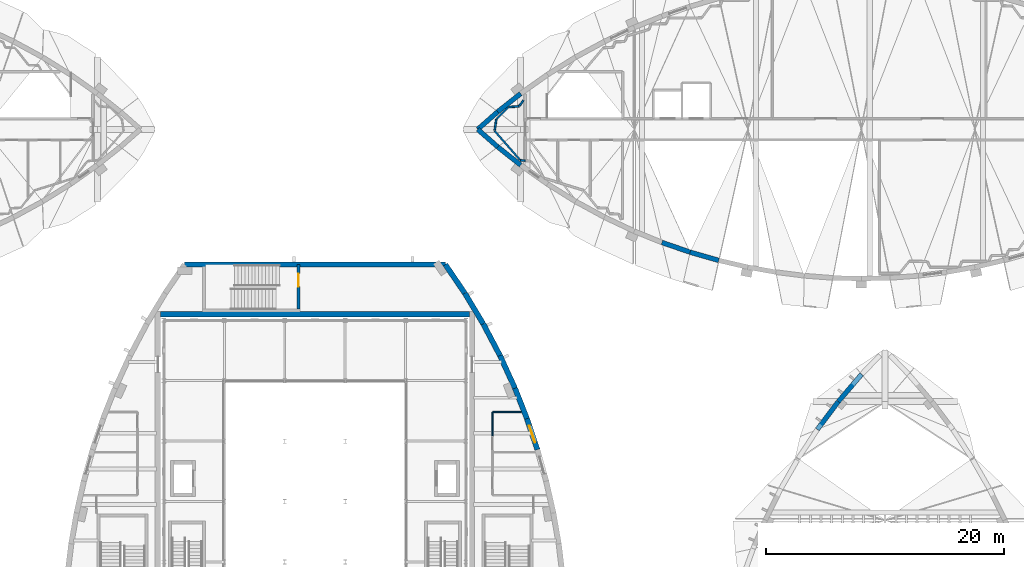
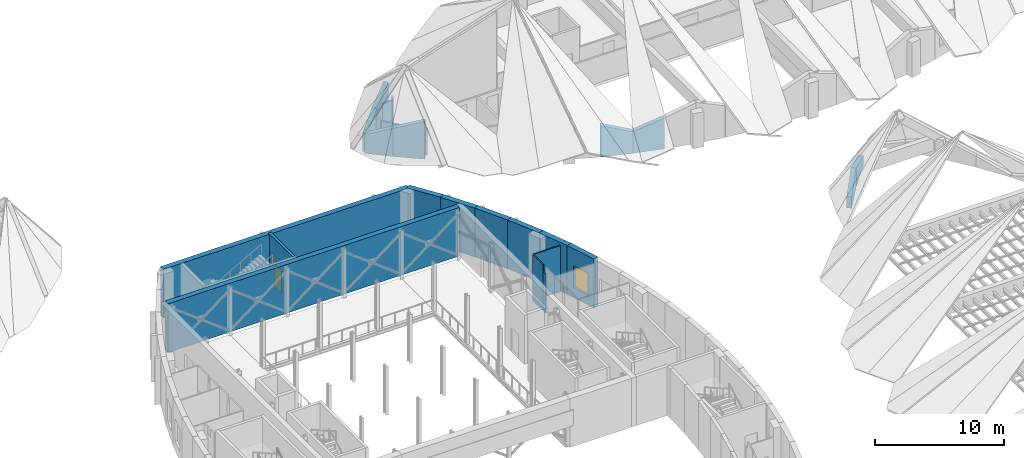
# One storey, part 43 of 56: 26 walls, 1 door, 1 window, 2 openings.
"""IFC4 building model written with IfcOpenShell, lengths in metres."""

from ifc_helpers import new_model, si_unit, direction, frame, frame_2d, origin, place, context, subcontext, project, spatial, polyline, rectangle, outline, extrude, material, layer, layer_set, type_object, element, fill, save


model = new_model("IFC4")

# Units and contexts
model_context = context("Model", 3, precision=1e-05, world=origin(), true_north=direction((0.0, 1.0)))
body_context = subcontext(model_context, "Body", "Model", "MODEL_VIEW")
ifc_project = project(units=[si_unit("LENGTHUNIT", "METRE"), si_unit("AREAUNIT", "SQUARE_METRE"), si_unit("VOLUMEUNIT", "CUBIC_METRE"), si_unit("PLANEANGLEUNIT", "RADIAN"), si_unit("MASSUNIT", "GRAM", prefix="KILO")], contexts=[model_context])

# Site, building, storey
site_placement = place(None, origin())
site = spatial("IfcSite", under=ifc_project, at=site_placement, CompositionType="ELEMENT")
building_placement = place(site_placement, origin())
building = spatial("IfcBuilding", under=site, at=building_placement, Name="Tide Square Theatres", CompositionType="ELEMENT")
storey_placement = place(building_placement, frame((0.0, 0.0, 10.199951171875)))
storey = spatial("IfcBuildingStorey", under=building, at=storey_placement, Name="L02", CompositionType="ELEMENT", Elevation=10.199951171875)

# Walls
ifc_material_1 = material(Name="Gypsum board on steel studs", Category="steel")
ifc_layer_1 = layer(ifc_material_1, 0.10009765625)
ifc_layer_set_1 = layer_set([ifc_layer_1], Name="Gypsum board on steel studs")
wall_type_1 = type_object("IfcWallType", Name="Partition 100 thick", PredefinedType="PARTITIONING", material=ifc_layer_set_1)
wall_1_placement = place(storey_placement, frame((98.949951171875, 72.02001953125, 0.0), z_axis=(0.0, 0.0, 1.0), x_axis=(0.0, 1.0, 0.0)))
element("IfcWall", 1, at=wall_1_placement, inside=storey, type_object=wall_type_1, Name="Partition", PredefinedType="PARTITIONING", context=body_context, shape_type="SweptSolid", body=[
    extrude(rectangle(XDim=0.35986328125, YDim=0.10009765625, at=frame_2d((0.179931640625, 0.0))), origin(), (0.0, 0.0, 1.0), 3.719970703125),
])
wall_2_placement = place(storey_placement, frame((98.949951171875, 72.3798828125, 0.0), z_axis=(0.0, 0.0, 1.0), x_axis=(0.0, 1.0, 0.0)))
element("IfcWall", 2, at=wall_2_placement, inside=storey, type_object=wall_type_1, Name="Partition", PredefinedType="PARTITIONING", context=body_context, shape_type="SweptSolid", body=[
    extrude(rectangle(XDim=1.596923828125, YDim=0.10009765625, at=frame_2d((0.79833984375, 0.0))), origin(), (0.0, 0.0, 1.0), 4.35009765625),
])
wall_3_placement = place(storey_placement, frame((98.983154296875, 74.0, 0.0), z_axis=(0.0, 0.0, 1.0), x_axis=(1.0, 0.0, 0.0)))
element("IfcWall", 3, at=wall_3_placement, inside=storey, type_object=wall_type_1, Name="Partition", PredefinedType="PARTITIONING", context=body_context, shape_type="SweptSolid", body=[
    extrude(rectangle(XDim=2.36376953125, YDim=0.10009765625, at=frame_2d((1.181884765625, 0.0))), origin(), (0.0, 0.0, 1.0), 4.35009765625),
])
ifc_material_2 = material(Name="Gypsum board on steel studs", Category="steel")
ifc_layer_2 = layer(ifc_material_2, 0.14990234375)
ifc_layer_set_2 = layer_set([ifc_layer_2], Name="Gypsum board on steel studs")
wall_type_2 = type_object("IfcWallType", Name="Partition 150 thick", PredefinedType="PARTITIONING", material=ifc_layer_set_2)
wall_4_placement = place(storey_placement, frame((101.699951171875, 95.16015625, 0.0), z_axis=(0.0, 0.0, 1.0), x_axis=(-0.996882323864, 0.078902676549, 0.0)))
element("IfcWall", 4, at=wall_4_placement, inside=storey, type_object=wall_type_2, Name="Rehearsal Block partition", PredefinedType="PARTITIONING", context=body_context, shape_type="SweptSolid", body=[
    extrude(rectangle(XDim=0.41455078125, YDim=0.14990234375, at=frame_2d((0.207275390625, 0.0))), origin(), (0.0, 0.0, 1.0), 2.5),
])
wall_5_placement = place(storey_placement, frame((101.260498046875, 95.222900390625, 0.0), z_axis=(0.0, 0.0, 1.0), x_axis=(-0.658009618923, 0.753009522785, 0.0)))
element("IfcWall", 5, at=wall_5_placement, inside=storey, type_object=wall_type_2, Name="Rehearsal Block partition", PredefinedType="PARTITIONING", context=body_context, shape_type="SweptSolid", body=[
    extrude(rectangle(XDim=3.248291015625, YDim=0.14990234375, at=frame_2d((1.6240234375, 0.0))), origin(), (0.0, 0.0, 1.0), 2.5),
])
wall_6_placement = place(storey_placement, frame((99.13037109375, 97.718505859375, 0.0), z_axis=(0.0, 0.0, 1.0), x_axis=(0.146464106826, 0.989215985218, 0.0)))
element("IfcWall", 6, at=wall_6_placement, inside=storey, type_object=wall_type_2, Name="Rehearsal Block partition", PredefinedType="PARTITIONING", context=body_context, shape_type="SweptSolid", body=[
    extrude(rectangle(XDim=0.94189453125, YDim=0.14990234375, at=frame_2d((0.470947265625, 0.0))), origin(), (0.0, 0.0, 1.0), 2.5),
])
wall_7_placement = place(storey_placement, frame((99.28955078125, 98.67138671875, 0.0), z_axis=(0.0, 0.0, 1.0), x_axis=(0.707106781187, 0.707106781187, 0.0)))
element("IfcWall", 7, at=wall_7_placement, inside=storey, type_object=wall_type_2, Name="Rehearsal Block partition", PredefinedType="PARTITIONING", context=body_context, shape_type="SweptSolid", body=[
    extrude(rectangle(XDim=1.39208984375, YDim=0.14990234375, at=frame_2d((0.696044921875, 0.0))), origin(), (0.0, 0.0, 1.0), 2.5),
])
wall_8_placement = place(storey_placement, frame((100.30810546875, 99.67138671875, 0.0), z_axis=(0.0, 0.0, 1.0), x_axis=(0.996862570919, 0.07915184584, 0.0)))
element("IfcWall", 8, at=wall_8_placement, inside=storey, type_object=wall_type_2, Name="Rehearsal Block partition", PredefinedType="PARTITIONING", context=body_context, shape_type="SweptSolid", body=[
    extrude(rectangle(XDim=0.86669921875, YDim=0.14990234375, at=frame_2d((0.433349609375, 0.0))), origin(), (0.0, 0.0, 1.0), 2.5),
])
wall_9_placement = place(storey_placement, frame((101.19677734375, 99.771484375, 0.0), z_axis=(0.0, 0.0, 1.0), x_axis=(0.61419828637, 0.78915173764, 0.0)))
element("IfcWall", 9, at=wall_9_placement, inside=storey, type_object=wall_type_2, Name="Rehearsal Block partition", PredefinedType="PARTITIONING", context=body_context, shape_type="SweptSolid", body=[
    extrude(rectangle(XDim=0.59033203125, YDim=0.14990234375, at=frame_2d((0.295166015625, 0.0))), origin(), (0.0, 0.0, 1.0), 2.5),
])
ifc_material_3 = material(Name="Concrete C40", Category="concrete")
ifc_layer_3 = layer(ifc_material_3, 0.39990234375)
ifc_layer_set_3 = layer_set([ifc_layer_3], Name="Concrete C40")
wall_type_3 = type_object("IfcWallType", Name="RC curved wall 400 thick", PredefinedType="SOLIDWALL", material=ifc_layer_set_3)
wall_10_placement = place(storey_placement, frame((130.02392578125, 77.175537109375, 0.0), z_axis=(0.0, 0.0, 1.0), x_axis=(-0.649458578854, -0.760396971557, 0.0)))
element("IfcWall", 10, at=wall_10_placement, inside=storey, type_object=wall_type_3, Name="Black Box Theatre perimeter wall", PredefinedType="SOLIDWALL", context=body_context, shape_type="SweptSolid", body=[
    extrude(outline(polyline([(0.0, 0.0), (3.019287109375, 0.0), (3.019287109375, 1.758056640625), (2.845458984375, 1.70654296875), (2.674560546875, 1.65576171875), (0.0, 0.862060546875), (0.0, 0.0)])), frame((0.0, 0.199951171875, 0.0), z_axis=(0.0, -1.0, 0.0), x_axis=(1.0, 0.0, 0.0)), (0.0, 0.0, 1.0), 0.39990234375),
])
wall_11_placement = place(storey_placement, frame((128.055419921875, 74.869873046875, 0.0), z_axis=(0.0, 0.0, 1.0), x_axis=(-0.600829330321, -0.799377330068, 0.0)))
element("IfcWall", 11, at=wall_11_placement, inside=storey, type_object=wall_type_3, Name="Black Box Theatre perimeter wall", PredefinedType="SOLIDWALL", context=body_context, shape_type="SweptSolid", body=[
    extrude(outline(polyline([(0.0, 0.0), (2.919189453125, 0.0), (2.919189453125, 1.0498046875), (2.5888671875, 1.1513671875), (0.3154296875, 1.84912109375), (0.1650390625, 1.895263671875), (0.0, 1.76904296875), (0.0, 0.0)])), frame((0.0, 0.199951171875, 0.0), z_axis=(0.0, -1.0, 0.0), x_axis=(1.0, 0.0, 0.0)), (0.0, 0.0, 1.0), 0.39990234375),
])
wall_12_placement = place(storey_placement, frame((97.703125, 97.800048828125, 0.0), z_axis=(0.0, 0.0, 1.0), x_axis=(0.751212351098, -0.660060605973, 0.0)))
element("IfcWall", 12, at=wall_12_placement, inside=storey, type_object=wall_type_3, Name="Rehearsal Block perimeter wall 000", PredefinedType="SOLIDWALL", context=body_context, shape_type="SweptSolid", body=[
    extrude(outline(polyline([(0.0, 0.0), (2.24169921875, 0.0), (2.241943359375, 2.647216796875), (2.2021484375, 2.635009765625), (0.372314453125, 1.900634765625), (0.144775390625, 1.80908203125), (0.0830078125, 1.7841796875), (0.0, 1.7509765625), (0.0, 0.0)])), frame((0.0, 0.199951171875, 0.0), z_axis=(0.0, -1.0, 0.0), x_axis=(1.0, 0.0, 0.0)), (0.0, 0.0, 1.0), 0.39990234375),
])
wall_13_placement = place(storey_placement, frame((99.38720703125, 96.3203125, 0.0), z_axis=(0.0, 0.0, 1.0), x_axis=(0.784278812541, -0.620408530082, 0.0)))
element("IfcWall", 13, at=wall_13_placement, inside=storey, type_object=wall_type_3, Name="Rehearsal Block perimeter wall 001", PredefinedType="SOLIDWALL", context=body_context, shape_type="SweptSolid", body=[
    extrude(outline(polyline([(0.0, 0.0), (2.464111328125, 0.0), (2.464111328125, 3.550537109375), (2.44580078125, 3.5439453125), (2.28759765625, 3.486083984375), (2.12939453125, 3.428466796875), (0.05078125, 2.669189453125), (0.0, 2.650634765625), (0.0, 0.0)])), frame((0.0, 0.199951171875, 0.0), z_axis=(0.0, -1.0, 0.0), x_axis=(1.0, 0.0, 0.0)), (0.0, 0.0, 1.0), 0.39990234375),
])
wall_14_placement = place(storey_placement, frame((113.20703125, 88.2783203125, 0.0), z_axis=(0.0, 0.0, 1.0), x_axis=(0.94514546406, -0.326649738659, 0.0)))
element("IfcWall", 14, at=wall_14_placement, inside=storey, type_object=wall_type_3, Name="Rehearsal Block perimeter wall 007", PredefinedType="SOLIDWALL", context=body_context, shape_type="SweptSolid", body=[
    extrude(outline(polyline([(0.0, 0.0), (2.51123046875, 0.0), (2.510986328125, 2.040283203125), (2.3212890625, 2.1083984375), (0.12890625, 2.89404296875), (0.0, 2.93603515625), (0.0, 0.0)])), frame((0.0, 0.199951171875, 0.0), z_axis=(0.0, -1.0, 0.0), x_axis=(1.0, 0.0, 0.0)), (0.0, 0.0, 1.0), 0.39990234375),
])
wall_15_placement = place(storey_placement, frame((115.58056640625, 87.4580078125, 0.0), z_axis=(0.0, 0.0, 1.0), x_axis=(0.961008605775, -0.276518461637, 0.0)))
element("IfcWall", 15, at=wall_15_placement, inside=storey, type_object=wall_type_3, Name="Rehearsal Block perimeter wall 008", PredefinedType="SOLIDWALL", context=body_context, shape_type="SweptSolid", body=[
    extrude(outline(polyline([(0.0, 0.0), (2.510986328125, 0.0), (2.510986328125, 2.9228515625), (2.498779296875, 2.91845703125), (0.0, 2.036865234375), (0.0, 0.0)])), frame((0.0, 0.199951171875, 0.0), z_axis=(0.0, -1.0, 0.0), x_axis=(1.0, 0.0, 0.0)), (0.0, 0.0, 1.0), 0.39990234375),
])
wall_16_placement = place(storey_placement, frame((101.31982421875, 100.80859375, 0.0), z_axis=(0.0, 0.0, 1.0), x_axis=(-0.784278812541, -0.620408530082, 0.0)))
element("IfcWall", 16, at=wall_16_placement, inside=storey, type_object=wall_type_3, Name="Rehearsal Block perimeter wall 054", PredefinedType="SOLIDWALL", context=body_context, shape_type="SweptSolid", body=[
    extrude(outline(polyline([(0.0, 0.0), (2.464111328125, 0.0), (2.464111328125, 2.650634765625), (2.41357421875, 2.669189453125), (0.334716796875, 3.428466796875), (0.176513671875, 3.486083984375), (0.0, 3.550537109375), (0.0, 0.0)])), frame((0.0, 0.199951171875, 0.0), z_axis=(0.0, -1.0, 0.0), x_axis=(1.0, 0.0, 0.0)), (0.0, 0.0, 1.0), 0.39990234375),
])
wall_17_placement = place(storey_placement, frame((99.38720703125, 99.27978515625, 0.0), z_axis=(0.0, 0.0, 1.0), x_axis=(-0.751212351098, -0.660060605973, 0.0)))
element("IfcWall", 17, at=wall_17_placement, inside=storey, type_object=wall_type_3, Name="Rehearsal Block perimeter wall 055", PredefinedType="SOLIDWALL", context=body_context, shape_type="SweptSolid", body=[
    extrude(outline(polyline([(0.0, 0.0), (2.24169921875, 0.0), (2.241943359375, 1.7509765625), (2.158935546875, 1.784423828125), (2.09716796875, 1.80908203125), (1.869384765625, 1.900634765625), (0.0, 2.647216796875), (0.0, 0.0)])), frame((0.0, 0.199951171875, 0.0), z_axis=(0.0, -1.0, 0.0), x_axis=(1.0, 0.0, 0.0)), (0.0, 0.0, 1.0), 0.39990234375),
])

# Wall, opening, window
ifc_material_4 = material(Name="Concrete C40", Category="concrete")
ifc_layer_4 = layer(ifc_material_4, 0.449951171875)
ifc_layer_set_4 = layer_set([ifc_layer_4], Name="Concrete C40")
wall_type_4 = type_object("IfcWallType", Name="RC curved wall 450 thick", PredefinedType="SOLIDWALL", material=ifc_layer_set_4)
wall_18_placement = place(storey_placement, frame((102.724609375, 70.838134765625, 0.0), z_axis=(0.0, 0.0, 1.0), x_axis=(-0.318887614688, 0.947792534893, 0.0)))
wall_18 = element("IfcWall", 18, at=wall_18_placement, inside=storey, type_object=wall_type_4, Name="Main Theatre perimeter wall", PredefinedType="SOLIDWALL", context=body_context, shape_type="SweptSolid", body=[
    extrude(rectangle(XDim=2.75244140625, YDim=0.449951171875, at=frame_2d((1.376220703125, 0.0))), origin(), (0.0, 0.0, 1.0), 4.60009765625),
])
opening_1_placement = place(wall_18_placement, frame((0.626220703125, 0.0, 0.89990234375)))
opening_1 = element("IfcOpeningElement", 19, at=opening_1_placement, cuts=wall_18, Name="Opening WN-01", PredefinedType="OPENING", context=body_context, shape_type="SweptSolid", body=[
    extrude(rectangle(XDim=1.5, YDim=2.10009765625, at=frame_2d((0.75, 1.050048828125))), frame((0.0, 0.23486328125, 0.0), z_axis=(0.0, -1.0, 0.0), x_axis=(1.0, 0.0, 0.0)), (0.0, 0.0, 1.0), 0.469970703125),
])
ifc_material_5 = material(Name="Aluminium with laminated glass", Category="aluminium")
window_type = type_object("IfcWindowType", Name="Window 1500 x 2100", PartitioningType="SINGLE_PANEL", PredefinedType="WINDOW", material=ifc_material_5)
window_placement = place(opening_1_placement, origin())
window = element("IfcWindow", 20, at=window_placement, inside=storey, type_object=window_type, Name="Main Theatre window", OverallHeight=2.10009765625, OverallWidth=1.5, PartitioningType="SINGLE_PANEL", PredefinedType="WINDOW", context=body_context, shape_type="SweptSolid", body=[
    extrude(rectangle(XDim=1.5, YDim=2.10009765625, at=frame_2d((0.75, 1.050048828125))), frame((0.0, 0.030029296875, 0.0), z_axis=(0.0, -1.0, 0.0), x_axis=(1.0, 0.0, 0.0)), (0.0, 0.0, 1.0), 0.06005859375),
])
fill(opening_1, window)

# Walls
wall_19_placement = place(storey_placement, frame((101.846923828125, 73.44677734375, 0.0), z_axis=(0.0, 0.0, 1.0), x_axis=(-0.366920100653, 0.930252460215, 0.0)))
element("IfcWall", 21, at=wall_19_placement, inside=storey, type_object=wall_type_4, Name="Main Theatre perimeter wall", PredefinedType="SOLIDWALL", context=body_context, shape_type="SweptSolid", body=[
    extrude(rectangle(XDim=2.751953125, YDim=0.449951171875, at=frame_2d((1.3759765625, 0.0))), origin(), (0.0, 0.0, 1.0), 4.60009765625),
])
wall_20_placement = place(storey_placement, frame((100.837158203125, 76.0068359375, 0.0), z_axis=(0.0, 0.0, 1.0), x_axis=(-0.416407051835, 0.909178292296, 0.0)))
element("IfcWall", 22, at=wall_20_placement, inside=storey, type_object=wall_type_4, Name="Main Theatre perimeter wall", PredefinedType="SOLIDWALL", context=body_context, shape_type="SweptSolid", body=[
    extrude(rectangle(XDim=3.021240234375, YDim=0.449951171875, at=frame_2d((1.5107421875, 0.0))), origin(), (0.0, 0.0, 1.0), 4.60009765625),
])
wall_21_placement = place(storey_placement, frame((99.5791015625, 78.753662109375, 0.0), z_axis=(0.0, 0.0, 1.0), x_axis=(-0.466728769487, 0.884400506407, 0.0)))
element("IfcWall", 23, at=wall_21_placement, inside=storey, type_object=wall_type_4, Name="Main Theatre perimeter wall", PredefinedType="SOLIDWALL", context=body_context, shape_type="SweptSolid", body=[
    extrude(rectangle(XDim=3.020751953125, YDim=0.449951171875, at=frame_2d((1.51025390625, 0.0))), origin(), (0.0, 0.0, 1.0), 4.60009765625),
])
wall_22_placement = place(storey_placement, frame((98.169189453125, 81.42529296875, 0.0), z_axis=(0.0, 0.0, 1.0), x_axis=(-0.515636119523, 0.856807675177, 0.0)))
element("IfcWall", 24, at=wall_22_placement, inside=storey, type_object=wall_type_4, Name="Main Theatre perimeter wall", PredefinedType="SOLIDWALL", context=body_context, shape_type="SweptSolid", body=[
    extrude(rectangle(XDim=3.021240234375, YDim=0.449951171875, at=frame_2d((1.5107421875, 0.0))), origin(), (0.0, 0.0, 1.0), 4.60009765625),
])
wall_23_placement = place(storey_placement, frame((96.611328125, 84.013916015625, 0.0), z_axis=(0.0, 0.0, 1.0), x_axis=(-0.5629642644, 0.826481238147, 0.0)))
element("IfcWall", 25, at=wall_23_placement, inside=storey, type_object=wall_type_4, Name="Main Theatre perimeter wall", PredefinedType="SOLIDWALL", context=body_context, shape_type="SweptSolid", body=[
    extrude(rectangle(XDim=2.908203125, YDim=0.449951171875, at=frame_2d((1.4541015625, 0.0))), origin(), (0.0, 0.0, 1.0), 4.60009765625),
])
wall_24_placement = place(storey_placement, frame((94.97412109375, 86.41748046875, 0.0), z_axis=(0.0, 0.0, 1.0), x_axis=(-1.0, 0.0, 0.0)))
element("IfcWall", 26, at=wall_24_placement, inside=storey, type_object=wall_type_4, Name="Main Theatre perimeter wall", PredefinedType="SOLIDWALL", context=body_context, shape_type="SweptSolid", body=[
    extrude(rectangle(XDim=21.9482421875, YDim=0.449951171875, at=frame_2d((10.97412109375, 0.0))), origin(), (0.0, 0.0, 1.0), 4.60009765625),
])
wall_25_placement = place(storey_placement, frame((71.0, 82.22509765625, 0.0), z_axis=(0.0, 0.0, 1.0), x_axis=(1.0, 0.0, 0.0)))
element("IfcWall", 27, at=wall_25_placement, inside=storey, type_object=wall_type_4, Name="Stage house rear wall", PredefinedType="SOLIDWALL", context=body_context, shape_type="SweptSolid", body=[
    extrude(rectangle(XDim=26.0, YDim=0.449951171875, at=frame_2d((13.0, 0.0))), origin(), (0.0, 0.0, 1.0), 4.60009765625),
])

# Wall, opening, door
ifc_material_6 = material(Name="Concrete C40", Category="concrete")
ifc_layer_5 = layer(ifc_material_6, 0.25)
ifc_layer_set_5 = layer_set([ifc_layer_5], Name="Concrete C40")
wall_type_5 = type_object("IfcWallType", Name="RC shear wall 250 thick", PredefinedType="SHEAR", material=ifc_layer_set_5)
wall_26_placement = place(storey_placement, frame((82.625, 86.39990234375, 0.0), z_axis=(0.0, 0.0, 1.0), x_axis=(0.0, -1.0, 0.0)))
wall_26 = element("IfcWall", 28, at=wall_26_placement, inside=storey, type_object=wall_type_5, Name="Main Theatre North Stair shaft wall", PredefinedType="SHEAR", context=body_context, shape_type="SweptSolid", body=[
    extrude(rectangle(XDim=3.7099609375, YDim=0.25, at=frame_2d((1.85498046875, 0.0))), origin(), (0.0, 0.0, 1.0), 4.60009765625),
])
opening_2_placement = place(wall_26_placement, frame((0.75, 0.0, 0.0)))
opening_2 = element("IfcOpeningElement", 29, at=opening_2_placement, cuts=wall_26, Name="Opening M02-05", PredefinedType="OPENING", context=body_context, shape_type="SweptSolid", body=[
    extrude(rectangle(XDim=1.10009765625, YDim=2.10009765625, at=frame_2d((0.550048828125, 1.050048828125))), frame((0.0, 0.135009765625, 0.0), z_axis=(0.0, -1.0, 0.0), x_axis=(1.0, 0.0, 0.0)), (0.0, 0.0, 1.0), 0.27001953125),
])
ifc_material_7 = material(Name="Painted steel", Category="steel")
door_type = type_object("IfcDoorType", Name="Door 1100 x 2100 single leaf", OperationType="NOTDEFINED", PredefinedType="DOOR", material=ifc_material_7)
door_placement = place(opening_2_placement, origin())
door = element("IfcDoor", 30, at=door_placement, inside=storey, type_object=door_type, Name="Main Theatre North Stair stair door", OperationType="SINGLE_SWING_RIGHT", OverallHeight=2.10009765625, OverallWidth=1.10009765625, PredefinedType="DOOR", context=body_context, shape_type="SweptSolid", body=[
    extrude(rectangle(XDim=1.10009765625, YDim=2.10009765625, at=frame_2d((0.550048828125, 1.050048828125))), frame((0.0, 0.02490234375, 0.0), z_axis=(0.0, -1.0, 0.0), x_axis=(1.0, 0.0, 0.0)), (0.0, 0.0, 1.0), 0.050048828125),
])
fill(opening_2, door)

save(model, "model.ifc")
